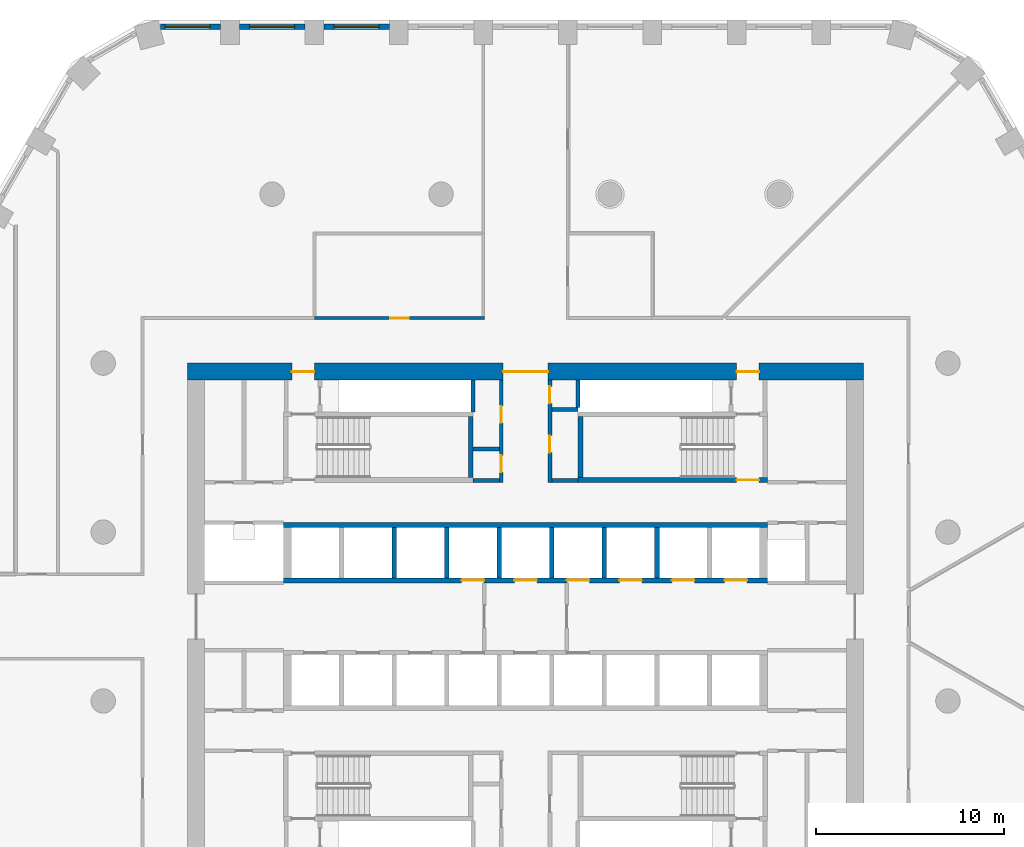
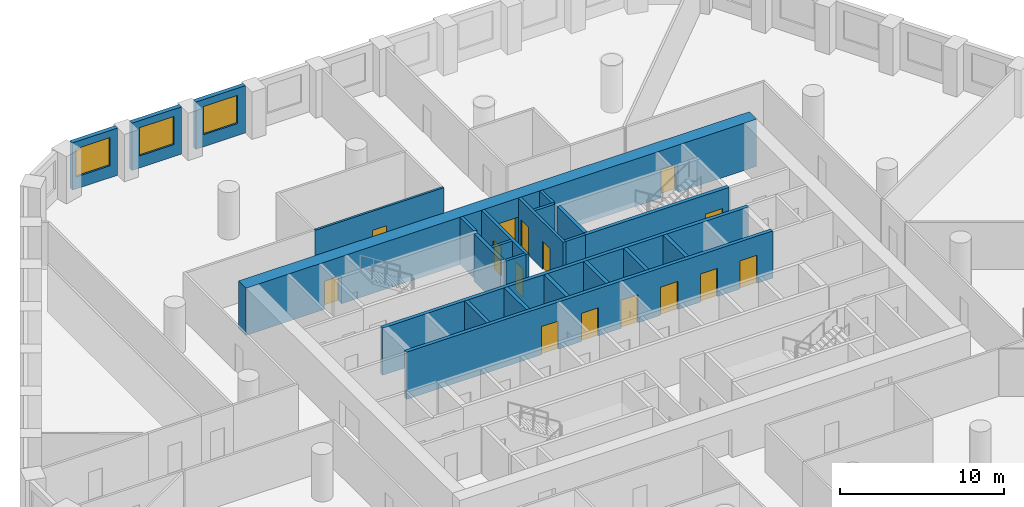
# One storey, part 6 of 14: 24 walls, 15 doors, 3 windows, 18 openings.
"""IFC4 building model written with IfcOpenShell, lengths in metres."""

from ifc_helpers import new_model, si_unit, direction, frame, frame_2d, origin, place, context, subcontext, project, spatial, polyline, rectangle, outline, extrude, material, layer, layer_set, type_object, element, fill, save


model = new_model("IFC4")

# Units and contexts
model_context = context("Model", 3, precision=1e-05, world=origin(), true_north=direction((0.0, 1.0)))
body_context = subcontext(model_context, "Body", "Model", "MODEL_VIEW")
ifc_project = project(units=[si_unit("LENGTHUNIT", "METRE"), si_unit("AREAUNIT", "SQUARE_METRE"), si_unit("VOLUMEUNIT", "CUBIC_METRE"), si_unit("PLANEANGLEUNIT", "RADIAN"), si_unit("MASSUNIT", "GRAM", prefix="KILO")], contexts=[model_context])

# Site, building, storey
site_placement = place(None, origin())
site = spatial("IfcSite", under=ifc_project, at=site_placement, CompositionType="ELEMENT")
building_placement = place(site_placement, origin())
building = spatial("IfcBuilding", under=site, at=building_placement, Name="Dhurran Vertical Campus", CompositionType="ELEMENT")
storey_placement = place(building_placement, frame((0.0, 0.0, 96.89990234375)))
storey = spatial("IfcBuildingStorey", under=building, at=storey_placement, Name="L23", CompositionType="ELEMENT", Elevation=96.89990234375)

# Wall, opening, window
ifc_material_1 = material(Name="Precast concrete C50/60", Category="concrete")
ifc_layer_1 = layer(ifc_material_1, 0.300048828125)
ifc_layer_set_1 = layer_set([ifc_layer_1], Name="Precast concrete C50/60")
wall_type_1 = type_object("IfcWallType", Name="Precast spandrel wall 300", PredefinedType="SOLIDWALL", material=ifc_layer_set_1)
wall_1_placement = place(storey_placement, frame((-7.25048828125, 31.4296875, 0.0), z_axis=(0.0, 0.0, 1.0), x_axis=(-1.0, 0.0, 0.0)))
wall_1 = element("IfcWall", 1, at=wall_1_placement, inside=storey, type_object=wall_type_1, Name="EW1 L23.32", PredefinedType="SOLIDWALL", context=body_context, shape_type="SweptSolid", body=[
    extrude(rectangle(XDim=3.4990234375, YDim=0.300048828125, at=frame_2d((1.74951171875, 0.0))), origin(), (0.0, 0.0, 1.0), 3.525146484375),
])
opening_1_placement = place(wall_1_placement, frame((0.549560546875, 0.0, 0.89990234375)))
opening_1 = element("IfcOpeningElement", 2, at=opening_1_placement, cuts=wall_1, Name="Opening WT1", PredefinedType="OPENING", context=body_context, shape_type="SweptSolid", body=[
    extrude(rectangle(XDim=2.39990234375, YDim=2.10009765625, at=frame_2d((1.199951171875, 1.050048828125))), frame((0.0, 0.159912109375, 0.0), z_axis=(0.0, -1.0, 0.0), x_axis=(1.0, 0.0, 0.0)), (0.0, 0.0, 1.0), 0.320068359375),
])
ifc_material_2 = material(Name="Aluminium frame with solar-control glass", Category="aluminium")
window_type = type_object("IfcWindowType", Name="Punched window 2400 x 2100", PartitioningType="SINGLE_PANEL", PredefinedType="WINDOW", material=ifc_material_2)
window_1_placement = place(opening_1_placement, origin())
window_1 = element("IfcWindow", 3, at=window_1_placement, inside=storey, type_object=window_type, Name="WT1 L23.32", OverallHeight=2.10009765625, OverallWidth=2.39990234375, PartitioningType="SINGLE_PANEL", PredefinedType="WINDOW", context=body_context, shape_type="SweptSolid", body=[
    extrude(rectangle(XDim=2.39990234375, YDim=2.10009765625, at=frame_2d((1.199951171875, 1.050048828125))), frame((0.0, 0.030029296875, 0.0), z_axis=(0.0, -1.0, 0.0), x_axis=(1.0, 0.0, 0.0)), (0.0, 0.0, 1.0), 0.06005859375),
])
fill(opening_1, window_1)

wall_2_placement = place(storey_placement, frame((-11.75048828125, 31.4296875, 0.0), z_axis=(0.0, 0.0, 1.0), x_axis=(-1.0, 0.0, 0.0)))
wall_2 = element("IfcWall", 4, at=wall_2_placement, inside=storey, type_object=wall_type_1, Name="EW1 L23.33", PredefinedType="SOLIDWALL", context=body_context, shape_type="SweptSolid", body=[
    extrude(rectangle(XDim=3.4990234375, YDim=0.300048828125, at=frame_2d((1.74951171875, 0.0))), origin(), (0.0, 0.0, 1.0), 3.525146484375),
])
opening_2_placement = place(wall_2_placement, frame((0.549560546875, 0.0, 0.89990234375)))
opening_2 = element("IfcOpeningElement", 5, at=opening_2_placement, cuts=wall_2, Name="Opening WT1", PredefinedType="OPENING", context=body_context, shape_type="SweptSolid", body=[
    extrude(rectangle(XDim=2.39990234375, YDim=2.10009765625, at=frame_2d((1.199951171875, 1.050048828125))), frame((0.0, 0.159912109375, 0.0), z_axis=(0.0, -1.0, 0.0), x_axis=(1.0, 0.0, 0.0)), (0.0, 0.0, 1.0), 0.320068359375),
])
window_2_placement = place(opening_2_placement, origin())
window_2 = element("IfcWindow", 6, at=window_2_placement, inside=storey, type_object=window_type, Name="WT1 L23.33", OverallHeight=2.10009765625, OverallWidth=2.39990234375, PartitioningType="SINGLE_PANEL", PredefinedType="WINDOW", context=body_context, shape_type="SweptSolid", body=[
    extrude(rectangle(XDim=2.39990234375, YDim=2.10009765625, at=frame_2d((1.199951171875, 1.050048828125))), frame((0.0, 0.030029296875, 0.0), z_axis=(0.0, -1.0, 0.0), x_axis=(1.0, 0.0, 0.0)), (0.0, 0.0, 1.0), 0.06005859375),
])
fill(opening_2, window_2)

wall_3_placement = place(storey_placement, frame((-16.25048828125, 31.4296875, 0.0), z_axis=(0.0, 0.0, 1.0), x_axis=(-1.0, 0.0, 0.0)))
wall_3 = element("IfcWall", 7, at=wall_3_placement, inside=storey, type_object=wall_type_1, Name="EW1 L23.34", PredefinedType="SOLIDWALL", context=body_context, shape_type="SweptSolid", body=[
    extrude(rectangle(XDim=3.1923828125, YDim=0.300048828125, at=frame_2d((1.59619140625, 0.0))), origin(), (0.0, 0.0, 1.0), 3.525146484375),
])
opening_3_placement = place(wall_3_placement, frame((0.549560546875, 0.0, 0.89990234375)))
opening_3 = element("IfcOpeningElement", 8, at=opening_3_placement, cuts=wall_3, Name="Opening WT1", PredefinedType="OPENING", context=body_context, shape_type="SweptSolid", body=[
    extrude(rectangle(XDim=2.39990234375, YDim=2.10009765625, at=frame_2d((1.199951171875, 1.050048828125))), frame((0.0, 0.159912109375, 0.0), z_axis=(0.0, -1.0, 0.0), x_axis=(1.0, 0.0, 0.0)), (0.0, 0.0, 1.0), 0.320068359375),
])
window_3_placement = place(opening_3_placement, origin())
window_3 = element("IfcWindow", 9, at=window_3_placement, inside=storey, type_object=window_type, Name="WT1 L23.34", OverallHeight=2.10009765625, OverallWidth=2.39990234375, PartitioningType="SINGLE_PANEL", PredefinedType="WINDOW", context=body_context, shape_type="SweptSolid", body=[
    extrude(rectangle(XDim=2.39990234375, YDim=2.10009765625, at=frame_2d((1.199951171875, 1.050048828125))), frame((0.0, 0.030029296875, 0.0), z_axis=(0.0, -1.0, 0.0), x_axis=(1.0, 0.0, 0.0)), (0.0, 0.0, 1.0), 0.06005859375),
])
fill(opening_3, window_3)

# Wall, openings, doors
ifc_material_3 = material(Name="Concrete C60/75", Category="concrete")
ifc_layer_2 = layer(ifc_material_3, 0.89990234375)
ifc_layer_set_2 = layer_set([ifc_layer_2], Name="Concrete C60/75")
wall_type_2 = type_object("IfcWallType", Name="co-CORE-WALL-C0-900", PredefinedType="SHEAR", material=ifc_layer_set_2)
wall_4_placement = place(storey_placement, frame((-18.0, 13.050048828125, 0.0), z_axis=(0.0, 0.0, 1.0), x_axis=(1.0, 0.0, 0.0)))
wall_4 = element("IfcWall", 10, at=wall_4_placement, inside=storey, type_object=wall_type_2, Name="Core wall N L23", PredefinedType="SHEAR", context=body_context, shape_type="SweptSolid", body=[
    extrude(rectangle(XDim=36.0, YDim=0.89990234375, at=frame_2d((18.0, 0.0))), origin(), (0.0, 0.0, 1.0), 3.525146484375),
])
opening_4_placement = place(wall_4_placement, frame((16.800048828125, 0.0, 0.0)))
opening_4 = element("IfcOpeningElement", 11, at=opening_4_placement, cuts=wall_4, Name="Opening CV1", PredefinedType="OPENING", context=body_context, shape_type="SweptSolid", body=[
    extrude(rectangle(XDim=2.39990234375, YDim=2.10009765625, at=frame_2d((1.199951171875, 1.050048828125))), frame((0.0, 0.4599609375, 0.0), z_axis=(0.0, -1.0, 0.0), x_axis=(1.0, 0.0, 0.0)), (0.0, 0.0, 1.0), 0.919921875),
])
opening_5_placement = place(wall_4_placement, frame((5.550048828125, 0.0, 0.0)))
opening_5 = element("IfcOpeningElement", 12, at=opening_5_placement, cuts=wall_4, Name="Opening XD1", PredefinedType="OPENING", context=body_context, shape_type="SweptSolid", body=[
    extrude(rectangle(XDim=1.199951171875, YDim=2.10009765625, at=frame_2d((0.60009765625, 1.050048828125))), frame((0.0, 0.4599609375, 0.0), z_axis=(0.0, -1.0, 0.0), x_axis=(1.0, 0.0, 0.0)), (0.0, 0.0, 1.0), 0.919921875),
])
opening_6_placement = place(wall_4_placement, frame((29.25, 0.0, 0.0)))
opening_6 = element("IfcOpeningElement", 13, at=opening_6_placement, cuts=wall_4, Name="Opening XD2", PredefinedType="OPENING", context=body_context, shape_type="SweptSolid", body=[
    extrude(rectangle(XDim=1.199951171875, YDim=2.10009765625, at=frame_2d((0.60009765625, 1.050048828125))), frame((0.0, 0.4599609375, 0.0), z_axis=(0.0, -1.0, 0.0), x_axis=(1.0, 0.0, 0.0)), (0.0, 0.0, 1.0), 0.919921875),
])
ifc_material_4 = material(Name="Fire-rated glazed door set")
door_type_1 = type_object("IfcDoorType", Name="co-D-LOBBY 2400x2100", OperationType="DOUBLE_DOOR_DOUBLE_SWING", PredefinedType="DOOR", material=ifc_material_4)
door_1_placement = place(opening_4_placement, origin())
door_1 = element("IfcDoor", 14, at=door_1_placement, inside=storey, type_object=door_type_1, Name="Core vestibule door N L23", OperationType="DOUBLE_DOOR_DOUBLE_SWING", OverallHeight=2.10009765625, OverallWidth=2.39990234375, PredefinedType="DOOR", context=body_context, shape_type="SweptSolid", body=[
    extrude(rectangle(XDim=2.39990234375, YDim=2.10009765625, at=frame_2d((1.199951171875, 1.050048828125))), frame((0.0, 0.02490234375, 0.0), z_axis=(0.0, -1.0, 0.0), x_axis=(1.0, 0.0, 0.0)), (0.0, 0.0, 1.0), 0.050048828125),
])
fill(opening_4, door_1)
ifc_material_5 = material(Name="Fire-rated steel door set", Category="steel")
door_type_2 = type_object("IfcDoorType", Name="co-D-STAIR-EXIT 1200x2100", OperationType="SINGLE_SWING_RIGHT", PredefinedType="DOOR", material=ifc_material_5)
door_2_placement = place(opening_5_placement, origin())
door_2 = element("IfcDoor", 15, at=door_2_placement, inside=storey, type_object=door_type_2, Name="Stair ST1 exit door L23", OperationType="SINGLE_SWING_RIGHT", OverallHeight=2.10009765625, OverallWidth=1.199951171875, PredefinedType="DOOR", context=body_context, shape_type="SweptSolid", body=[
    extrude(rectangle(XDim=1.199951171875, YDim=2.10009765625, at=frame_2d((0.60009765625, 1.050048828125))), frame((0.0, 0.02490234375, 0.0), z_axis=(0.0, -1.0, 0.0), x_axis=(1.0, 0.0, 0.0)), (0.0, 0.0, 1.0), 0.050048828125),
])
fill(opening_5, door_2)
door_3_placement = place(opening_6_placement, origin())
door_3 = element("IfcDoor", 16, at=door_3_placement, inside=storey, type_object=door_type_2, Name="Stair ST2 exit door L23", OperationType="SINGLE_SWING_RIGHT", OverallHeight=2.10009765625, OverallWidth=1.199951171875, PredefinedType="DOOR", context=body_context, shape_type="SweptSolid", body=[
    extrude(rectangle(XDim=1.199951171875, YDim=2.10009765625, at=frame_2d((0.60009765625, 1.050048828125))), frame((0.0, 0.02490234375, 0.0), z_axis=(0.0, -1.0, 0.0), x_axis=(1.0, 0.0, 0.0)), (0.0, 0.0, 1.0), 0.050048828125),
])
fill(opening_6, door_3)

# Walls
ifc_material_6 = material(Name="Fire-rated masonry blockwork", Category="masonry")
ifc_layer_3 = layer(ifc_material_6, 0.199951171875)
ifc_layer_set_3 = layer_set([ifc_layer_3], Name="Fire-rated masonry blockwork")
wall_type_3 = type_object("IfcWallType", Name="co-FIRE-PARTITION-200", PredefinedType="PARTITIONING", material=ifc_layer_set_3)
for number, where, z_axis, x_axis, name in (
    (17, (-2.800048828125, 7.25, 0.0), (0.0, 0.0, 1.0), (1.0, 0.0, 0.0), "Core partition sl-NW-S L23"),
    (18, (-2.800048828125, 8.925048828125, 0.0), (0.0, 0.0, 1.0), (1.0, 0.0, 0.0), "Core partition sl-NW-cut0 L23"),
    (19, (1.39990234375, 7.25, 0.0), (0.0, 0.0, 1.0), (1.0, 0.0, 0.0), "Core partition sl-NE-S L23"),
    (20, (1.39990234375, 11.02490234375, 0.0), (0.0, 0.0, 1.0), (1.0, 0.0, 0.0), "Core partition sl-NE-cut0 L23"),
):
    element("IfcWall", number, at=place(storey_placement, frame(where, z_axis=z_axis, x_axis=x_axis)), inside=storey, type_object=wall_type_3, Name=name, PredefinedType="PARTITIONING", context=body_context, shape_type="SweptSolid", body=[
        extrude(rectangle(XDim=1.400146484375, YDim=0.199951171875, at=frame_2d((0.7001953125, 0.0))), origin(), (0.0, 0.0, 1.0), 3.525146484375),
    ])

# Wall, openings, doors
wall_5_placement = place(storey_placement, frame((-1.300048828125, 7.14990234375, 0.0), z_axis=(0.0, 0.0, 1.0), x_axis=(0.0, 1.0, 0.0)))
wall_5 = element("IfcWall", 21, at=wall_5_placement, inside=storey, type_object=wall_type_3, Name="Core partition vest-NW L23", PredefinedType="PARTITIONING", context=body_context, shape_type="SweptSolid", body=[
    extrude(rectangle(XDim=5.4501953125, YDim=0.199951171875, at=frame_2d((2.72509765625, 0.0))), origin(), (0.0, 0.0, 1.0), 3.525146484375),
])
opening_7_placement = place(wall_5_placement, frame((0.53759765625, 0.0, 0.0)))
opening_7 = element("IfcOpeningElement", 22, at=opening_7_placement, cuts=wall_5, Name="Opening T06-C4", PredefinedType="OPENING", context=body_context, shape_type="SweptSolid", body=[
    extrude(rectangle(XDim=0.89990234375, YDim=2.10009765625, at=frame_2d((0.449951171875, 1.050048828125))), frame((0.0, 0.10986328125, 0.0), z_axis=(0.0, -1.0, 0.0), x_axis=(1.0, 0.0, 0.0)), (0.0, 0.0, 1.0), 0.219970703125),
])
opening_8_placement = place(wall_5_placement, frame((3.16259765625, 0.0, 0.0)))
opening_8 = element("IfcOpeningElement", 23, at=opening_8_placement, cuts=wall_5, Name="Opening T06-C5", PredefinedType="OPENING", context=body_context, shape_type="SweptSolid", body=[
    extrude(rectangle(XDim=0.89990234375, YDim=2.10009765625, at=frame_2d((0.449951171875, 1.050048828125))), frame((0.0, 0.10986328125, 0.0), z_axis=(0.0, -1.0, 0.0), x_axis=(1.0, 0.0, 0.0)), (0.0, 0.0, 1.0), 0.219970703125),
])
ifc_material_7 = material(Name="Fire-rated timber door set", Category="wood")
door_type_3 = type_object("IfcDoorType", Name="co-D-ROOM 900x2100", OperationType="SINGLE_SWING_LEFT", PredefinedType="DOOR", material=ifc_material_7)
door_4_placement = place(opening_7_placement, origin())
door_4 = element("IfcDoor", 24, at=door_4_placement, inside=storey, type_object=door_type_3, Name="Pantry door L23", OperationType="SINGLE_SWING_LEFT", OverallHeight=2.10009765625, OverallWidth=0.89990234375, PredefinedType="DOOR", context=body_context, shape_type="SweptSolid", body=[
    extrude(rectangle(XDim=0.89990234375, YDim=2.10009765625, at=frame_2d((0.449951171875, 1.050048828125))), frame((0.0, 0.02490234375, 0.0), z_axis=(0.0, -1.0, 0.0), x_axis=(1.0, 0.0, 0.0)), (0.0, 0.0, 1.0), 0.050048828125),
])
fill(opening_7, door_4)
door_5_placement = place(opening_8_placement, origin())
door_5 = element("IfcDoor", 25, at=door_5_placement, inside=storey, type_object=door_type_3, Name="Store door L23", OperationType="SINGLE_SWING_LEFT", OverallHeight=2.10009765625, OverallWidth=0.89990234375, PredefinedType="DOOR", context=body_context, shape_type="SweptSolid", body=[
    extrude(rectangle(XDim=0.89990234375, YDim=2.10009765625, at=frame_2d((0.449951171875, 1.050048828125))), frame((0.0, 0.02490234375, 0.0), z_axis=(0.0, -1.0, 0.0), x_axis=(1.0, 0.0, 0.0)), (0.0, 0.0, 1.0), 0.050048828125),
])
fill(opening_8, door_5)

wall_6_placement = place(storey_placement, frame((1.300048828125, 7.14990234375, 0.0), z_axis=(0.0, 0.0, 1.0), x_axis=(0.0, 1.0, 0.0)))
wall_6 = element("IfcWall", 26, at=wall_6_placement, inside=storey, type_object=wall_type_3, Name="Core partition vest-NE L23", PredefinedType="PARTITIONING", context=body_context, shape_type="SweptSolid", body=[
    extrude(rectangle(XDim=5.4501953125, YDim=0.199951171875, at=frame_2d((2.72509765625, 0.0))), origin(), (0.0, 0.0, 1.0), 3.525146484375),
])
opening_9_placement = place(wall_6_placement, frame((1.58740234375, 0.0, 0.0)))
opening_9 = element("IfcOpeningElement", 27, at=opening_9_placement, cuts=wall_6, Name="Opening T06-C6", PredefinedType="OPENING", context=body_context, shape_type="SweptSolid", body=[
    extrude(rectangle(XDim=0.89990234375, YDim=2.10009765625, at=frame_2d((0.449951171875, 1.050048828125))), frame((0.0, 0.10986328125, 0.0), z_axis=(0.0, -1.0, 0.0), x_axis=(1.0, 0.0, 0.0)), (0.0, 0.0, 1.0), 0.219970703125),
])
opening_10_placement = place(wall_6_placement, frame((4.21240234375, 0.0, 0.0)))
opening_10 = element("IfcOpeningElement", 28, at=opening_10_placement, cuts=wall_6, Name="Opening T06-C7", PredefinedType="OPENING", context=body_context, shape_type="SweptSolid", body=[
    extrude(rectangle(XDim=0.89990234375, YDim=2.10009765625, at=frame_2d((0.449951171875, 1.050048828125))), frame((0.0, 0.10986328125, 0.0), z_axis=(0.0, -1.0, 0.0), x_axis=(1.0, 0.0, 0.0)), (0.0, 0.0, 1.0), 0.219970703125),
])
door_6_placement = place(opening_9_placement, origin())
door_6 = element("IfcDoor", 29, at=door_6_placement, inside=storey, type_object=door_type_3, Name="Communications room door L23", OperationType="SINGLE_SWING_LEFT", OverallHeight=2.10009765625, OverallWidth=0.89990234375, PredefinedType="DOOR", context=body_context, shape_type="SweptSolid", body=[
    extrude(rectangle(XDim=0.89990234375, YDim=2.10009765625, at=frame_2d((0.449951171875, 1.050048828125))), frame((0.0, 0.02490234375, 0.0), z_axis=(0.0, -1.0, 0.0), x_axis=(1.0, 0.0, 0.0)), (0.0, 0.0, 1.0), 0.050048828125),
])
fill(opening_9, door_6)
door_7_placement = place(opening_10_placement, origin())
door_7 = element("IfcDoor", 30, at=door_7_placement, inside=storey, type_object=door_type_3, Name="Plant room door L23", OperationType="SINGLE_SWING_LEFT", OverallHeight=2.10009765625, OverallWidth=0.89990234375, PredefinedType="DOOR", context=body_context, shape_type="SweptSolid", body=[
    extrude(rectangle(XDim=0.89990234375, YDim=2.10009765625, at=frame_2d((0.449951171875, 1.050048828125))), frame((0.0, 0.02490234375, 0.0), z_axis=(0.0, -1.0, 0.0), x_axis=(1.0, 0.0, 0.0)), (0.0, 0.0, 1.0), 0.050048828125),
])
fill(opening_10, door_7)

# Walls
wall_7_placement = place(storey_placement, frame((-2.800048828125, 10.90087890625, 0.0), z_axis=(0.0, 0.0, 1.0), x_axis=(0.0, 1.0, 0.0)))
element("IfcWall", 31, at=wall_7_placement, inside=storey, type_object=wall_type_3, Name="Riser enclosure wall L23", PredefinedType="PARTITIONING", context=body_context, shape_type="SweptSolid", body=[
    extrude(rectangle(XDim=1.6982421875, YDim=0.199951171875, at=frame_2d((0.84912109375, 0.0))), origin(), (0.0, 0.0, 1.0), 3.525146484375),
])
wall_8_placement = place(storey_placement, frame((2.800048828125, 12.59912109375, 0.0), z_axis=(0.0, 0.0, 1.0), x_axis=(0.0, -1.0, 0.0)))
element("IfcWall", 32, at=wall_8_placement, inside=storey, type_object=wall_type_3, Name="Riser enclosure wall L23", PredefinedType="PARTITIONING", context=body_context, shape_type="SweptSolid", body=[
    extrude(rectangle(XDim=1.47314453125, YDim=0.199951171875, at=frame_2d((0.736572265625, 0.0))), origin(), (0.0, 0.0, 1.0), 3.525146484375),
])

# Wall, openings, doors
ifc_material_8 = material(Name="Concrete C50/60", Category="concrete")
ifc_layer_4 = layer(ifc_material_8, 0.25)
ifc_layer_set_4 = layer_set([ifc_layer_4], Name="Concrete C50/60")
wall_type_4 = type_object("IfcWallType", Name="co-SHAFT-FRONT-250", PredefinedType="SHEAR", material=ifc_layer_set_4)
wall_9_placement = place(storey_placement, frame((-12.89990234375, 1.925048828125, 0.0), z_axis=(0.0, 0.0, 1.0), x_axis=(1.0, 0.0, 0.0)))
wall_9 = element("IfcWall", 33, at=wall_9_placement, inside=storey, type_object=wall_type_4, Name="Lift landing wall N L23", PredefinedType="SHEAR", context=body_context, shape_type="SweptSolid", body=[
    extrude(rectangle(XDim=25.7998046875, YDim=0.25, at=frame_2d((12.89990234375, 0.0))), origin(), (0.0, 0.0, 1.0), 3.525146484375),
])
opening_11_placement = place(wall_9_placement, frame((9.5, 0.0, 0.0)))
opening_11 = element("IfcOpeningElement", 34, at=opening_11_placement, cuts=wall_9, Name="Opening LD", PredefinedType="OPENING", context=body_context, shape_type="SweptSolid", body=[
    extrude(rectangle(XDim=1.199951171875, YDim=2.10009765625, at=frame_2d((0.60009765625, 1.050048828125))), frame((0.0, 0.135009765625, 0.0), z_axis=(0.0, -1.0, 0.0), x_axis=(1.0, 0.0, 0.0)), (0.0, 0.0, 1.0), 0.27001953125),
])
opening_12_placement = place(wall_9_placement, frame((12.300048828125, 0.0, 0.0)))
opening_12 = element("IfcOpeningElement", 35, at=opening_12_placement, cuts=wall_9, Name="Opening LD", PredefinedType="OPENING", context=body_context, shape_type="SweptSolid", body=[
    extrude(rectangle(XDim=1.199951171875, YDim=2.10009765625, at=frame_2d((0.60009765625, 1.050048828125))), frame((0.0, 0.135009765625, 0.0), z_axis=(0.0, -1.0, 0.0), x_axis=(1.0, 0.0, 0.0)), (0.0, 0.0, 1.0), 0.27001953125),
])
opening_13_placement = place(wall_9_placement, frame((15.10009765625, 0.0, 0.0)))
opening_13 = element("IfcOpeningElement", 36, at=opening_13_placement, cuts=wall_9, Name="Opening LD", PredefinedType="OPENING", context=body_context, shape_type="SweptSolid", body=[
    extrude(rectangle(XDim=1.199951171875, YDim=2.10009765625, at=frame_2d((0.60009765625, 1.050048828125))), frame((0.0, 0.135009765625, 0.0), z_axis=(0.0, -1.0, 0.0), x_axis=(1.0, 0.0, 0.0)), (0.0, 0.0, 1.0), 0.27001953125),
])
opening_14_placement = place(wall_9_placement, frame((17.89990234375, 0.0, 0.0)))
opening_14 = element("IfcOpeningElement", 37, at=opening_14_placement, cuts=wall_9, Name="Opening LD", PredefinedType="OPENING", context=body_context, shape_type="SweptSolid", body=[
    extrude(rectangle(XDim=1.199951171875, YDim=2.10009765625, at=frame_2d((0.60009765625, 1.050048828125))), frame((0.0, 0.135009765625, 0.0), z_axis=(0.0, -1.0, 0.0), x_axis=(1.0, 0.0, 0.0)), (0.0, 0.0, 1.0), 0.27001953125),
])
opening_15_placement = place(wall_9_placement, frame((20.699951171875, 0.0, 0.0)))
opening_15 = element("IfcOpeningElement", 38, at=opening_15_placement, cuts=wall_9, Name="Opening LD", PredefinedType="OPENING", context=body_context, shape_type="SweptSolid", body=[
    extrude(rectangle(XDim=1.199951171875, YDim=2.10009765625, at=frame_2d((0.60009765625, 1.050048828125))), frame((0.0, 0.135009765625, 0.0), z_axis=(0.0, -1.0, 0.0), x_axis=(1.0, 0.0, 0.0)), (0.0, 0.0, 1.0), 0.27001953125),
])
opening_16_placement = place(wall_9_placement, frame((23.5, 0.0, 0.0)))
opening_16 = element("IfcOpeningElement", 39, at=opening_16_placement, cuts=wall_9, Name="Opening LD", PredefinedType="OPENING", context=body_context, shape_type="SweptSolid", body=[
    extrude(rectangle(XDim=1.199951171875, YDim=2.10009765625, at=frame_2d((0.60009765625, 1.050048828125))), frame((0.0, 0.135009765625, 0.0), z_axis=(0.0, -1.0, 0.0), x_axis=(1.0, 0.0, 0.0)), (0.0, 0.0, 1.0), 0.27001953125),
])
ifc_material_9 = material(Name="Stainless steel landing door", Category="steel")
door_type_4 = type_object("IfcDoorType", Name="co-D-LANDING 1200x2100", OperationType="DOUBLE_DOOR_SLIDING", PredefinedType="DOOR", material=ifc_material_9)
door_8_placement = place(opening_11_placement, origin())
door_8 = element("IfcDoor", 40, at=door_8_placement, inside=storey, type_object=door_type_4, Name="Landing door LR1 L23", OperationType="DOUBLE_DOOR_SLIDING", OverallHeight=2.10009765625, OverallWidth=1.199951171875, PredefinedType="DOOR", context=body_context, shape_type="SweptSolid", body=[
    extrude(rectangle(XDim=1.199951171875, YDim=2.10009765625, at=frame_2d((0.60009765625, 1.050048828125))), frame((0.0, 0.02490234375, 0.0), z_axis=(0.0, -1.0, 0.0), x_axis=(1.0, 0.0, 0.0)), (0.0, 0.0, 1.0), 0.050048828125),
])
fill(opening_11, door_8)
door_9_placement = place(opening_12_placement, origin())
door_9 = element("IfcDoor", 41, at=door_9_placement, inside=storey, type_object=door_type_4, Name="Landing door FF1 L23", OperationType="DOUBLE_DOOR_SLIDING", OverallHeight=2.10009765625, OverallWidth=1.199951171875, PredefinedType="DOOR", context=body_context, shape_type="SweptSolid", body=[
    extrude(rectangle(XDim=1.199951171875, YDim=2.10009765625, at=frame_2d((0.60009765625, 1.050048828125))), frame((0.0, 0.02490234375, 0.0), z_axis=(0.0, -1.0, 0.0), x_axis=(1.0, 0.0, 0.0)), (0.0, 0.0, 1.0), 0.050048828125),
])
fill(opening_12, door_9)
door_10_placement = place(opening_13_placement, origin())
door_10 = element("IfcDoor", 42, at=door_10_placement, inside=storey, type_object=door_type_4, Name="Landing door LR2 L23", OperationType="DOUBLE_DOOR_SLIDING", OverallHeight=2.10009765625, OverallWidth=1.199951171875, PredefinedType="DOOR", context=body_context, shape_type="SweptSolid", body=[
    extrude(rectangle(XDim=1.199951171875, YDim=2.10009765625, at=frame_2d((0.60009765625, 1.050048828125))), frame((0.0, 0.02490234375, 0.0), z_axis=(0.0, -1.0, 0.0), x_axis=(1.0, 0.0, 0.0)), (0.0, 0.0, 1.0), 0.050048828125),
])
fill(opening_13, door_10)
door_11_placement = place(opening_14_placement, origin())
door_11 = element("IfcDoor", 43, at=door_11_placement, inside=storey, type_object=door_type_4, Name="Landing door LR3 L23", OperationType="DOUBLE_DOOR_SLIDING", OverallHeight=2.10009765625, OverallWidth=1.199951171875, PredefinedType="DOOR", context=body_context, shape_type="SweptSolid", body=[
    extrude(rectangle(XDim=1.199951171875, YDim=2.10009765625, at=frame_2d((0.60009765625, 1.050048828125))), frame((0.0, 0.02490234375, 0.0), z_axis=(0.0, -1.0, 0.0), x_axis=(1.0, 0.0, 0.0)), (0.0, 0.0, 1.0), 0.050048828125),
])
fill(opening_14, door_11)
door_12_placement = place(opening_15_placement, origin())
door_12 = element("IfcDoor", 44, at=door_12_placement, inside=storey, type_object=door_type_4, Name="Landing door LR4 L23", OperationType="DOUBLE_DOOR_SLIDING", OverallHeight=2.10009765625, OverallWidth=1.199951171875, PredefinedType="DOOR", context=body_context, shape_type="SweptSolid", body=[
    extrude(rectangle(XDim=1.199951171875, YDim=2.10009765625, at=frame_2d((0.60009765625, 1.050048828125))), frame((0.0, 0.02490234375, 0.0), z_axis=(0.0, -1.0, 0.0), x_axis=(1.0, 0.0, 0.0)), (0.0, 0.0, 1.0), 0.050048828125),
])
fill(opening_15, door_12)
door_13_placement = place(opening_16_placement, origin())
door_13 = element("IfcDoor", 45, at=door_13_placement, inside=storey, type_object=door_type_4, Name="Landing door SV2 L23", OperationType="DOUBLE_DOOR_SLIDING", OverallHeight=2.10009765625, OverallWidth=1.199951171875, PredefinedType="DOOR", context=body_context, shape_type="SweptSolid", body=[
    extrude(rectangle(XDim=1.199951171875, YDim=2.10009765625, at=frame_2d((0.60009765625, 1.050048828125))), frame((0.0, 0.02490234375, 0.0), z_axis=(0.0, -1.0, 0.0), x_axis=(1.0, 0.0, 0.0)), (0.0, 0.0, 1.0), 0.050048828125),
])
fill(opening_16, door_13)

# Walls
ifc_material_10 = material(Name="Concrete C50/60", Category="concrete")
ifc_layer_5 = layer(ifc_material_10, 0.25)
ifc_layer_set_5 = layer_set([ifc_layer_5], Name="Concrete C50/60")
wall_type_5 = type_object("IfcWallType", Name="co-SHAFT-MASS-250", PredefinedType="SHEAR", material=ifc_layer_set_5)
wall_10_placement = place(storey_placement, origin())
element("IfcWall", 46, at=wall_10_placement, inside=storey, type_object=wall_type_5, Name="Lift shaft wall N L23 1", PredefinedType="SHEAR", context=body_context, shape_type="SweptSolid", body=[
    extrude(outline(polyline([(-12.89990234375, 4.75), (12.89990234375, 4.75), (12.89990234375, 5.0), (-12.89990234375, 5.0), (-12.89990234375, 4.75)])), origin(), (0.0, 0.0, 1.0), 3.525146484375),
])
wall_11_placement = place(storey_placement, origin())
element("IfcWall", 47, at=wall_11_placement, inside=storey, type_object=wall_type_5, Name="Lift shaft wall N L23 4", PredefinedType="SHEAR", context=body_context, shape_type="SweptSolid", body=[
    extrude(outline(polyline([(-7.125, 2.050048828125), (-6.875, 2.050048828125), (-6.875, 4.75), (-7.125, 4.75), (-7.125, 2.050048828125)])), origin(), (0.0, 0.0, 1.0), 3.525146484375),
])
wall_12_placement = place(storey_placement, origin())
element("IfcWall", 48, at=wall_12_placement, inside=storey, type_object=wall_type_5, Name="Lift shaft wall N L23 5", PredefinedType="SHEAR", context=body_context, shape_type="SweptSolid", body=[
    extrude(outline(polyline([(-4.324951171875, 2.050048828125), (-4.074951171875, 2.050048828125), (-4.074951171875, 4.75), (-4.324951171875, 4.75), (-4.324951171875, 2.050048828125)])), origin(), (0.0, 0.0, 1.0), 3.525146484375),
])
wall_13_placement = place(storey_placement, origin())
element("IfcWall", 49, at=wall_13_placement, inside=storey, type_object=wall_type_5, Name="Lift shaft wall N L23 6", PredefinedType="SHEAR", context=body_context, shape_type="SweptSolid", body=[
    extrude(outline(polyline([(-1.52490234375, 2.050048828125), (-1.27490234375, 2.050048828125), (-1.27490234375, 4.75), (-1.52490234375, 4.75), (-1.52490234375, 2.050048828125)])), origin(), (0.0, 0.0, 1.0), 3.525146484375),
])
wall_14_placement = place(storey_placement, origin())
element("IfcWall", 50, at=wall_14_placement, inside=storey, type_object=wall_type_5, Name="Lift shaft wall N L23 7", PredefinedType="SHEAR", context=body_context, shape_type="SweptSolid", body=[
    extrude(outline(polyline([(1.27490234375, 2.050048828125), (1.52490234375, 2.050048828125), (1.52490234375, 4.75), (1.27490234375, 4.75), (1.27490234375, 2.050048828125)])), origin(), (0.0, 0.0, 1.0), 3.525146484375),
])
wall_15_placement = place(storey_placement, origin())
element("IfcWall", 51, at=wall_15_placement, inside=storey, type_object=wall_type_5, Name="Lift shaft wall N L23 8", PredefinedType="SHEAR", context=body_context, shape_type="SweptSolid", body=[
    extrude(outline(polyline([(4.074951171875, 2.050048828125), (4.324951171875, 2.050048828125), (4.324951171875, 4.75), (4.074951171875, 4.75), (4.074951171875, 2.050048828125)])), origin(), (0.0, 0.0, 1.0), 3.525146484375),
])
wall_16_placement = place(storey_placement, origin())
element("IfcWall", 52, at=wall_16_placement, inside=storey, type_object=wall_type_5, Name="Lift shaft wall N L23 9", PredefinedType="SHEAR", context=body_context, shape_type="SweptSolid", body=[
    extrude(outline(polyline([(6.875, 2.050048828125), (7.125, 2.050048828125), (7.125, 4.75), (6.875, 4.75), (6.875, 2.050048828125)])), origin(), (0.0, 0.0, 1.0), 3.525146484375),
])
ifc_material_11 = material(Name="Concrete C40/50", Category="concrete")
ifc_layer_6 = layer(ifc_material_11, 0.25)
ifc_layer_set_6 = layer_set([ifc_layer_6], Name="Concrete C40/50")
wall_type_6 = type_object("IfcWallType", Name="co-STAIR-WALL-250", PredefinedType="SHEAR", material=ifc_layer_set_6)
wall_17_placement = place(storey_placement, frame((-2.925048828125, 7.39990234375, 0.0), z_axis=(0.0, 0.0, 1.0), x_axis=(0.0, 1.0, 0.0)))
element("IfcWall", 53, at=wall_17_placement, inside=storey, type_object=wall_type_6, Name="Stair ST1 enclosure wall L23", PredefinedType="SHEAR", context=body_context, shape_type="SweptSolid", body=[
    extrude(rectangle(XDim=3.25, YDim=0.25, at=frame_2d((1.625, 0.0))), origin(), (0.0, 0.0, 1.0), 3.525146484375),
])

# Wall, opening, door
wall_18_placement = place(storey_placement, frame((2.800048828125, 7.27490234375, 0.0), z_axis=(0.0, 0.0, 1.0), x_axis=(1.0, 0.0, 0.0)))
wall_18 = element("IfcWall", 54, at=wall_18_placement, inside=storey, type_object=wall_type_6, Name="Stair ST2 enclosure wall L23", PredefinedType="SHEAR", context=body_context, shape_type="SweptSolid", body=[
    extrude(rectangle(XDim=10.099853515625, YDim=0.25, at=frame_2d((5.0498046875, 0.0))), origin(), (0.0, 0.0, 1.0), 3.525146484375),
])
opening_17_placement = place(wall_18_placement, frame((8.449951171875, 0.0, 0.0)))
opening_17 = element("IfcOpeningElement", 55, at=opening_17_placement, cuts=wall_18, Name="Opening SD2", PredefinedType="OPENING", context=body_context, shape_type="SweptSolid", body=[
    extrude(rectangle(XDim=1.199951171875, YDim=2.10009765625, at=frame_2d((0.60009765625, 1.050048828125))), frame((0.0, 0.135009765625, 0.0), z_axis=(0.0, -1.0, 0.0), x_axis=(1.0, 0.0, 0.0)), (0.0, 0.0, 1.0), 0.27001953125),
])
ifc_material_12 = material(Name="Fire-rated steel door set", Category="steel")
door_type_5 = type_object("IfcDoorType", Name="co-D-STAIR 1200x2100", OperationType="SINGLE_SWING_LEFT", PredefinedType="DOOR", material=ifc_material_12)
door_14_placement = place(opening_17_placement, origin())
door_14 = element("IfcDoor", 56, at=door_14_placement, inside=storey, type_object=door_type_5, Name="Stair ST2 door L23", OperationType="SINGLE_SWING_LEFT", OverallHeight=2.10009765625, OverallWidth=1.199951171875, PredefinedType="DOOR", context=body_context, shape_type="SweptSolid", body=[
    extrude(rectangle(XDim=1.199951171875, YDim=2.10009765625, at=frame_2d((0.60009765625, 1.050048828125))), frame((0.0, 0.02490234375, 0.0), z_axis=(0.0, -1.0, 0.0), x_axis=(1.0, 0.0, 0.0)), (0.0, 0.0, 1.0), 0.050048828125),
])
fill(opening_17, door_14)

# Wall
wall_19_placement = place(storey_placement, frame((2.925048828125, 7.39990234375, 0.0), z_axis=(0.0, 0.0, 1.0), x_axis=(0.0, 1.0, 0.0)))
element("IfcWall", 57, at=wall_19_placement, inside=storey, type_object=wall_type_6, Name="Stair ST2 enclosure wall L23", PredefinedType="SHEAR", context=body_context, shape_type="SweptSolid", body=[
    extrude(rectangle(XDim=3.25, YDim=0.25, at=frame_2d((1.625, 0.0))), origin(), (0.0, 0.0, 1.0), 3.525146484375),
])

# Wall, opening, door
ifc_material_13 = material(Name="Gypsum board corridor wall on steel studs", Category="steel")
ifc_layer_7 = layer(ifc_material_13, 0.14990234375)
ifc_layer_set_7 = layer_set([ifc_layer_7], Name="Gypsum board corridor wall on steel studs")
wall_type_7 = type_object("IfcWallType", Name="fl-CW-150 corridor wall", PredefinedType="PARTITIONING", material=ifc_layer_set_7)
wall_20_placement = place(storey_placement, frame((-2.175048828125, 15.89990234375, 0.0), z_axis=(0.0, 0.0, 1.0), x_axis=(-1.0, 0.0, 0.0)))
wall_20 = element("IfcWall", 58, at=wall_20_placement, inside=storey, type_object=wall_type_7, Name="Partition 23-22", PredefinedType="PARTITIONING", context=body_context, shape_type="SweptSolid", body=[
    extrude(rectangle(XDim=9.074951171875, YDim=0.14990234375, at=frame_2d((4.53759765625, 0.0))), origin(), (0.0, 0.0, 1.0), 3.525146484375),
])
opening_18_placement = place(wall_20_placement, frame((4.03759765625, 0.0, 0.0)))
opening_18 = element("IfcOpeningElement", 59, at=opening_18_placement, cuts=wall_20, Name="Opening T06.09", PredefinedType="OPENING", context=body_context, shape_type="SweptSolid", body=[
    extrude(rectangle(XDim=1.0, YDim=2.10009765625, at=frame_2d((0.5, 1.050048828125))), frame((0.0, 0.0849609375, 0.0), z_axis=(0.0, -1.0, 0.0), x_axis=(1.0, 0.0, 0.0)), (0.0, 0.0, 1.0), 0.169921875),
])
ifc_material_14 = material(Name="Solid-core timber door set, fire-rated", Category="wood")
door_type_6 = type_object("IfcDoorType", Name="fl-D-1000x2100", OperationType="SINGLE_SWING_LEFT", PredefinedType="DOOR", material=ifc_material_14)
door_15_placement = place(opening_18_placement, origin())
door_15 = element("IfcDoor", 60, at=door_15_placement, inside=storey, type_object=door_type_6, Name="Door 23.09", OperationType="SINGLE_SWING_RIGHT", OverallHeight=2.10009765625, OverallWidth=1.0, PredefinedType="DOOR", context=body_context, shape_type="SweptSolid", body=[
    extrude(rectangle(XDim=1.0, YDim=2.10009765625, at=frame_2d((0.5, 1.050048828125))), frame((0.0, 0.02490234375, 0.0), z_axis=(0.0, -1.0, 0.0), x_axis=(1.0, 0.0, 0.0)), (0.0, 0.0, 1.0), 0.050048828125),
])
fill(opening_18, door_15)

save(model, "model.ifc")
